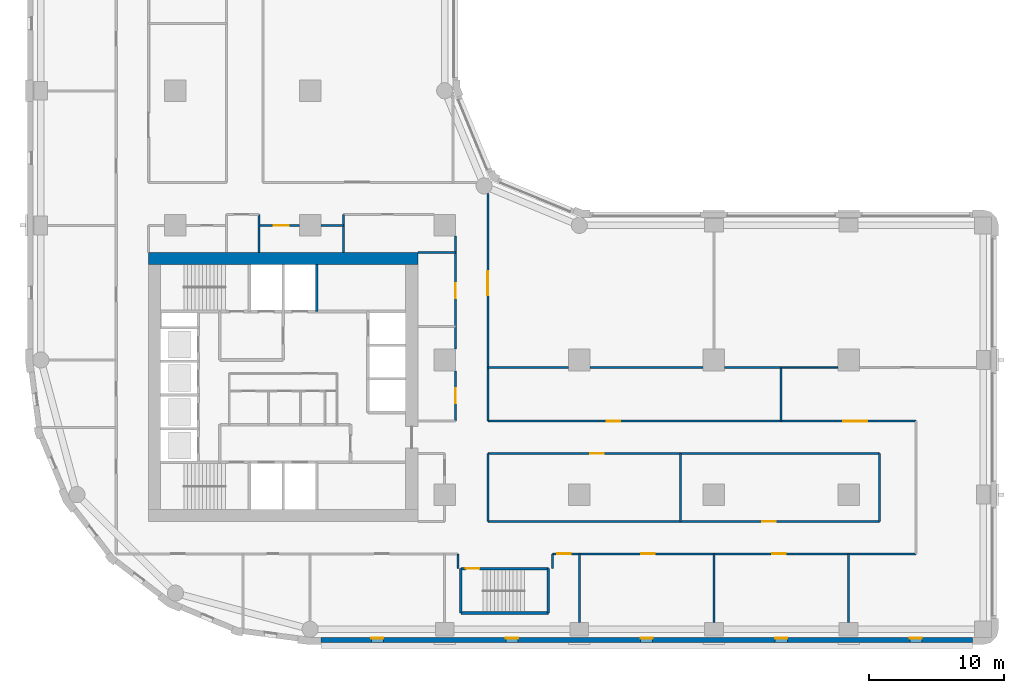
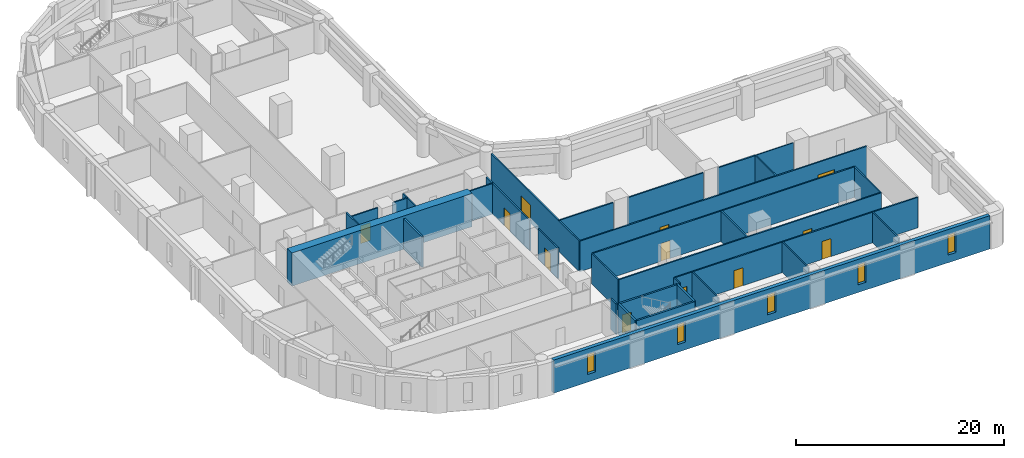
# One storey, part 4 of 11: 32 walls, 12 doors, 5 windows, 17 openings.
"""IFC4 building model written with IfcOpenShell, lengths in metres."""

from ifc_helpers import new_model, si_unit, direction, frame, frame_2d, origin, place, context, subcontext, project, spatial, rectangle, extrude, material, layer, layer_set, type_object, element, fill, save


model = new_model("IFC4")

# Units and contexts
model_context = context("Model", 3, precision=1e-05, world=origin(), true_north=direction((0.0, 1.0)))
body_context = subcontext(model_context, "Body", "Model", "MODEL_VIEW")
ifc_project = project(units=[si_unit("LENGTHUNIT", "METRE"), si_unit("AREAUNIT", "SQUARE_METRE"), si_unit("VOLUMEUNIT", "CUBIC_METRE"), si_unit("PLANEANGLEUNIT", "RADIAN"), si_unit("MASSUNIT", "GRAM", prefix="KILO")], contexts=[model_context])

# Site, building, storey
site_placement = place(None, origin())
site = spatial("IfcSite", under=ifc_project, at=site_placement, CompositionType="ELEMENT")
building_placement = place(site_placement, origin())
building = spatial("IfcBuilding", under=site, at=building_placement, Name="Qaws Garden Tower", CompositionType="ELEMENT")
storey_placement = place(building_placement, frame((0.0, 0.0, 31.5)))
storey = spatial("IfcBuildingStorey", under=building, at=storey_placement, Name="L07", CompositionType="ELEMENT", Elevation=31.5)

# Wall, openings, windows
ifc_material_1 = material(Name="Clay facing brick masonry", Category="masonry")
ifc_layer_1 = layer(ifc_material_1, 0.39990234375)
ifc_layer_set_1 = layer_set([ifc_layer_1], Name="Clay facing brick masonry")
wall_type_1 = type_object("IfcWallType", Name="Brick infill wall 400", PredefinedType="SOLIDWALL", material=ifc_layer_set_1)
wall_1_placement = place(storey_placement, frame((20.800048828125, -0.800048828125, 0.0), z_axis=(0.0, 0.0, 1.0), x_axis=(1.0, 0.0, 0.0)))
wall_1 = element("IfcWall", 1, at=wall_1_placement, inside=storey, type_object=wall_type_1, Name="E-L07-infill-00", PredefinedType="SOLIDWALL", context=body_context, shape_type="SweptSolid", body=[
    extrude(rectangle(XDim=48.39990234375, YDim=0.39990234375, at=frame_2d((24.199951171875, 0.0))), origin(), (0.0, 0.0, 1.0), 3.89990234375),
])
opening_1_placement = place(wall_1_placement, frame((3.75, 0.0, 0.89990234375)))
opening_1 = element("IfcOpeningElement", 2, at=opening_1_placement, cuts=wall_1, Name="Opening W09", PredefinedType="OPENING", context=body_context, shape_type="SweptSolid", body=[
    extrude(rectangle(XDim=0.89990234375, YDim=2.35009765625, at=frame_2d((0.449951171875, 1.175048828125))), frame((0.0, 0.2099609375, 0.0), z_axis=(0.0, -1.0, 0.0), x_axis=(1.0, 0.0, 0.0)), (0.0, 0.0, 1.0), 0.419921875),
])
opening_2_placement = place(wall_1_placement, frame((13.75, 0.0, 0.89990234375)))
opening_2 = element("IfcOpeningElement", 3, at=opening_2_placement, cuts=wall_1, Name="Opening W09", PredefinedType="OPENING", context=body_context, shape_type="SweptSolid", body=[
    extrude(rectangle(XDim=0.89990234375, YDim=2.35009765625, at=frame_2d((0.449951171875, 1.175048828125))), frame((0.0, 0.2099609375, 0.0), z_axis=(0.0, -1.0, 0.0), x_axis=(1.0, 0.0, 0.0)), (0.0, 0.0, 1.0), 0.419921875),
])
opening_3_placement = place(wall_1_placement, frame((23.75, 0.0, 0.89990234375)))
opening_3 = element("IfcOpeningElement", 4, at=opening_3_placement, cuts=wall_1, Name="Opening W09", PredefinedType="OPENING", context=body_context, shape_type="SweptSolid", body=[
    extrude(rectangle(XDim=0.89990234375, YDim=2.35009765625, at=frame_2d((0.449951171875, 1.175048828125))), frame((0.0, 0.2099609375, 0.0), z_axis=(0.0, -1.0, 0.0), x_axis=(1.0, 0.0, 0.0)), (0.0, 0.0, 1.0), 0.419921875),
])
opening_4_placement = place(wall_1_placement, frame((33.75, 0.0, 0.89990234375)))
opening_4 = element("IfcOpeningElement", 5, at=opening_4_placement, cuts=wall_1, Name="Opening W09", PredefinedType="OPENING", context=body_context, shape_type="SweptSolid", body=[
    extrude(rectangle(XDim=0.89990234375, YDim=2.35009765625, at=frame_2d((0.449951171875, 1.175048828125))), frame((0.0, 0.2099609375, 0.0), z_axis=(0.0, -1.0, 0.0), x_axis=(1.0, 0.0, 0.0)), (0.0, 0.0, 1.0), 0.419921875),
])
opening_5_placement = place(wall_1_placement, frame((43.75, 0.0, 0.89990234375)))
opening_5 = element("IfcOpeningElement", 6, at=opening_5_placement, cuts=wall_1, Name="Opening W09", PredefinedType="OPENING", context=body_context, shape_type="SweptSolid", body=[
    extrude(rectangle(XDim=0.89990234375, YDim=2.35009765625, at=frame_2d((0.449951171875, 1.175048828125))), frame((0.0, 0.2099609375, 0.0), z_axis=(0.0, -1.0, 0.0), x_axis=(1.0, 0.0, 0.0)), (0.0, 0.0, 1.0), 0.419921875),
])
ifc_material_2 = material(Name="Aluminium framed window, clear glazing", Category="aluminium")
window_type = type_object("IfcWindowType", Name="Slit window 900 x 2350", PartitioningType="SINGLE_PANEL", PredefinedType="WINDOW", material=ifc_material_2)
window_1_placement = place(opening_1_placement, origin())
window_1 = element("IfcWindow", 7, at=window_1_placement, inside=storey, type_object=window_type, Name="E-L07-window-00-0", OverallHeight=2.35009765625, OverallWidth=0.89990234375, PartitioningType="SINGLE_PANEL", PredefinedType="WINDOW", context=body_context, shape_type="SweptSolid", body=[
    extrude(rectangle(XDim=0.89990234375, YDim=2.35009765625, at=frame_2d((0.449951171875, 1.175048828125))), frame((0.0, 0.159912109375, 0.0), z_axis=(0.0, -1.0, 0.0), x_axis=(1.0, 0.0, 0.0)), (0.0, 0.0, 1.0), 0.06005859375),
])
fill(opening_1, window_1)
window_2_placement = place(opening_2_placement, origin())
window_2 = element("IfcWindow", 8, at=window_2_placement, inside=storey, type_object=window_type, Name="E-L07-window-01-0", OverallHeight=2.35009765625, OverallWidth=0.89990234375, PartitioningType="SINGLE_PANEL", PredefinedType="WINDOW", context=body_context, shape_type="SweptSolid", body=[
    extrude(rectangle(XDim=0.89990234375, YDim=2.35009765625, at=frame_2d((0.449951171875, 1.175048828125))), frame((0.0, 0.159912109375, 0.0), z_axis=(0.0, -1.0, 0.0), x_axis=(1.0, 0.0, 0.0)), (0.0, 0.0, 1.0), 0.06005859375),
])
fill(opening_2, window_2)
window_3_placement = place(opening_3_placement, origin())
window_3 = element("IfcWindow", 9, at=window_3_placement, inside=storey, type_object=window_type, Name="E-L07-window-02-0", OverallHeight=2.35009765625, OverallWidth=0.89990234375, PartitioningType="SINGLE_PANEL", PredefinedType="WINDOW", context=body_context, shape_type="SweptSolid", body=[
    extrude(rectangle(XDim=0.89990234375, YDim=2.35009765625, at=frame_2d((0.449951171875, 1.175048828125))), frame((0.0, 0.159912109375, 0.0), z_axis=(0.0, -1.0, 0.0), x_axis=(1.0, 0.0, 0.0)), (0.0, 0.0, 1.0), 0.06005859375),
])
fill(opening_3, window_3)
window_4_placement = place(opening_4_placement, origin())
window_4 = element("IfcWindow", 10, at=window_4_placement, inside=storey, type_object=window_type, Name="E-L07-window-03-0", OverallHeight=2.35009765625, OverallWidth=0.89990234375, PartitioningType="SINGLE_PANEL", PredefinedType="WINDOW", context=body_context, shape_type="SweptSolid", body=[
    extrude(rectangle(XDim=0.89990234375, YDim=2.35009765625, at=frame_2d((0.449951171875, 1.175048828125))), frame((0.0, 0.159912109375, 0.0), z_axis=(0.0, -1.0, 0.0), x_axis=(1.0, 0.0, 0.0)), (0.0, 0.0, 1.0), 0.06005859375),
])
fill(opening_4, window_4)
window_5_placement = place(opening_5_placement, origin())
window_5 = element("IfcWindow", 11, at=window_5_placement, inside=storey, type_object=window_type, Name="E-L07-window-04-0", OverallHeight=2.35009765625, OverallWidth=0.89990234375, PartitioningType="SINGLE_PANEL", PredefinedType="WINDOW", context=body_context, shape_type="SweptSolid", body=[
    extrude(rectangle(XDim=0.89990234375, YDim=2.35009765625, at=frame_2d((0.449951171875, 1.175048828125))), frame((0.0, 0.159912109375, 0.0), z_axis=(0.0, -1.0, 0.0), x_axis=(1.0, 0.0, 0.0)), (0.0, 0.0, 1.0), 0.06005859375),
])
fill(opening_5, window_5)

# Wall
ifc_material_3 = material(Name="Concrete C80", Category="concrete")
ifc_layer_2 = layer(ifc_material_3, 0.199951171875)
ifc_layer_set_2 = layer_set([ifc_layer_2], Name="Concrete C80")
wall_type_2 = type_object("IfcWallType", Name="Core shaft wall 200 C80", PredefinedType="SHEAR", material=ifc_layer_set_2)
wall_2_placement = place(storey_placement, frame((31.199951171875, 1.199951171875, 0.0), z_axis=(0.0, 0.0, 1.0), x_axis=(1.0, 0.0, 0.0)))
element("IfcWall", 12, at=wall_2_placement, inside=storey, type_object=wall_type_2, Name="Shaft wall", PredefinedType="SHEAR", context=body_context, shape_type="SweptSolid", body=[
    extrude(rectangle(XDim=6.5, YDim=0.199951171875, at=frame_2d((3.25, 0.0))), origin(), (0.0, 0.0, 1.0), 3.580078125),
])

# Wall, opening, door
wall_3_placement = place(storey_placement, frame((31.199951171875, 4.5, 0.0), z_axis=(0.0, 0.0, 1.0), x_axis=(1.0, 0.0, 0.0)))
wall_3 = element("IfcWall", 13, at=wall_3_placement, inside=storey, type_object=wall_type_2, Name="Shaft wall", PredefinedType="SHEAR", context=body_context, shape_type="SweptSolid", body=[
    extrude(rectangle(XDim=6.5, YDim=0.199951171875, at=frame_2d((3.25, 0.0))), origin(), (0.0, 0.0, 1.0), 3.580078125),
])
opening_6_placement = place(wall_3_placement, frame((0.375, 0.0, 0.0)))
opening_6 = element("IfcOpeningElement", 14, at=opening_6_placement, cuts=wall_3, Name="Opening SD12", PredefinedType="OPENING", context=body_context, shape_type="SweptSolid", body=[
    extrude(rectangle(XDim=1.0, YDim=2.10009765625, at=frame_2d((0.5, 1.050048828125))), frame((0.0, 0.10986328125, 0.0), z_axis=(0.0, -1.0, 0.0), x_axis=(1.0, 0.0, 0.0)), (0.0, 0.0, 1.0), 0.219970703125),
])
ifc_material_4 = material(Name="Steel S235", Category="steel")
door_type_1 = type_object("IfcDoorType", Name="Stair door 1000x2100", OperationType="SINGLE_SWING_RIGHT", PredefinedType="DOOR", material=ifc_material_4)
door_1_placement = place(opening_6_placement, frame((1.0, 0.0, 0.0), z_axis=(0.0, 0.0, 1.0), x_axis=(-1.0, 0.0, 0.0)))
door_1 = element("IfcDoor", 15, at=door_1_placement, inside=storey, type_object=door_type_1, Name="Stair 5 door", OperationType="SINGLE_SWING_RIGHT", OverallHeight=2.10009765625, OverallWidth=1.0, PredefinedType="DOOR", context=body_context, shape_type="SweptSolid", body=[
    extrude(rectangle(XDim=1.0, YDim=2.10009765625, at=frame_2d((0.5, 1.050048828125))), frame((0.0, 0.02490234375, 0.0), z_axis=(0.0, -1.0, 0.0), x_axis=(1.0, 0.0, 0.0)), (0.0, 0.0, 1.0), 0.050048828125),
])
fill(opening_6, door_1)

# Walls
wall_4_placement = place(storey_placement, frame((20.5, 23.60009765625, 0.0), z_axis=(0.0, 0.0, 1.0), x_axis=(0.0, 1.0, 0.0)))
element("IfcWall", 16, at=wall_4_placement, inside=storey, type_object=wall_type_2, Name="Shaft wall", PredefinedType="SHEAR", context=body_context, shape_type="SweptSolid", body=[
    extrude(rectangle(XDim=3.5, YDim=0.199951171875, at=frame_2d((1.75, 0.0))), origin(), (0.0, 0.0, 1.0), 3.580078125),
])
for number, where, z_axis, x_axis, name in (
    (17, (31.199951171875, 1.199951171875, 0.0), (0.0, 0.0, 1.0), (0.0, 1.0, 0.0), "Shaft wall"),
    (18, (37.699951171875, 1.199951171875, 0.0), (0.0, 0.0, 1.0), (0.0, 1.0, 0.0), "Shaft wall"),
):
    element("IfcWall", number, at=place(storey_placement, frame(where, z_axis=z_axis, x_axis=x_axis)), inside=storey, type_object=wall_type_2, Name=name, PredefinedType="SHEAR", context=body_context, shape_type="SweptSolid", body=[
        extrude(rectangle(XDim=3.300048828125, YDim=0.199951171875, at=frame_2d((1.64990234375, 0.0))), origin(), (0.0, 0.0, 1.0), 3.580078125),
    ])
ifc_material_5 = material(Name="Concrete C80", Category="concrete")
ifc_layer_3 = layer(ifc_material_5, 0.89990234375)
ifc_layer_set_3 = layer_set([ifc_layer_3], Name="Concrete C80")
wall_type_3 = type_object("IfcWallType", Name="Core wall 900 C80", PredefinedType="SHEAR", material=ifc_layer_set_3)
wall_5_placement = place(storey_placement, frame((28.0, 27.550048828125, 0.0), z_axis=(0.0, 0.0, 1.0), x_axis=(-1.0, 0.0, 0.0)))
element("IfcWall", 19, at=wall_5_placement, inside=storey, type_object=wall_type_3, Name="Core wall L07 north", PredefinedType="SHEAR", context=body_context, shape_type="SweptSolid", body=[
    extrude(rectangle(XDim=20.0, YDim=0.89990234375, at=frame_2d((10.0, 0.0))), origin(), (0.0, 0.0, 1.0), 3.89990234375),
])
ifc_material_6 = material(Name="Gypsum board partition")
ifc_layer_4 = layer(ifc_material_6, 0.10009765625)
ifc_layer_set_4 = layer_set([ifc_layer_4], Name="Gypsum board partition")
wall_type_4 = type_object("IfcWallType", Name="PARTITION 100", PredefinedType="PARTITIONING", material=ifc_layer_set_4)
wall_6_placement = place(storey_placement, frame((55.0, 19.449951171875, 0.0), z_axis=(0.0, 0.0, 1.0), x_axis=(1.0, 0.0, 0.0)))
element("IfcWall", 20, at=wall_6_placement, inside=storey, type_object=wall_type_4, Name="O-L07-wall-002", PredefinedType="PARTITIONING", context=body_context, shape_type="SweptSolid", body=[
    extrude(rectangle(XDim=4.199951171875, YDim=0.10009765625, at=frame_2d((2.10009765625, 0.0))), origin(), (0.0, 0.0, 1.0), 3.580078125),
])
ifc_material_7 = material(Name="Gypsum board partition")
ifc_layer_5 = layer(ifc_material_7, 0.14990234375)
ifc_layer_set_5 = layer_set([ifc_layer_5], Name="Gypsum board partition")
wall_type_5 = type_object("IfcWallType", Name="PARTITION 150 EI 60", PredefinedType="PARTITIONING", material=ifc_layer_set_5)
for number, where, z_axis, x_axis, name in (
    (21, (16.199951171875, 28.0, 0.0), (0.0, 0.0, 1.0), (0.0, 1.0, 0.0), "O-L07-wall-012"),
    (22, (22.5, 28.0, 0.0), (0.0, 0.0, 1.0), (0.0, 1.0, 0.0), "O-L07-wall-016"),
):
    element("IfcWall", number, at=place(storey_placement, frame(where, z_axis=z_axis, x_axis=x_axis)), inside=storey, type_object=wall_type_5, Name=name, PredefinedType="PARTITIONING", context=body_context, shape_type="SweptSolid", body=[
        extrude(rectangle(XDim=2.800048828125, YDim=0.14990234375, at=frame_2d((1.39990234375, 0.0))), origin(), (0.0, 0.0, 1.0), 3.580078125),
    ])

# Wall, opening, door
wall_7_placement = place(storey_placement, frame((30.800048828125, 15.449951171875, 0.0), z_axis=(0.0, 0.0, 1.0), x_axis=(0.0, 1.0, 0.0)))
wall_7 = element("IfcWall", 23, at=wall_7_placement, inside=storey, type_object=wall_type_5, Name="O-L07-wall-022", PredefinedType="PARTITIONING", context=body_context, shape_type="SweptSolid", body=[
    extrude(rectangle(XDim=3.75, YDim=0.14990234375, at=frame_2d((1.875, 0.0))), origin(), (0.0, 0.0, 1.0), 3.580078125),
])
opening_7_placement = place(wall_7_placement, frame((1.35009765625, 0.0, 0.0)))
opening_7 = element("IfcOpeningElement", 24, at=opening_7_placement, cuts=wall_7, Name="Opening A211", PredefinedType="OPENING", context=body_context, shape_type="SweptSolid", body=[
    extrude(rectangle(XDim=1.10009765625, YDim=2.10009765625, at=frame_2d((0.550048828125, 1.050048828125))), frame((0.0, 0.0849609375, 0.0), z_axis=(0.0, -1.0, 0.0), x_axis=(1.0, 0.0, 0.0)), (0.0, 0.0, 1.0), 0.169921875),
])
ifc_material_8 = material(Name="Timber door leaf", Category="wood")
door_type_2 = type_object("IfcDoorType", Name="SERVICE ROOM DOOR 1100 X 2100", OperationType="SINGLE_SWING_LEFT", PredefinedType="DOOR", material=ifc_material_8)
door_2_placement = place(opening_7_placement, origin())
door_2 = element("IfcDoor", 25, at=door_2_placement, inside=storey, type_object=door_type_2, Name="O-L07-door-011", OperationType="SINGLE_SWING_RIGHT", OverallHeight=2.10009765625, OverallWidth=1.10009765625, PredefinedType="DOOR", context=body_context, shape_type="SweptSolid", body=[
    extrude(rectangle(XDim=1.10009765625, YDim=2.10009765625, at=frame_2d((0.550048828125, 1.050048828125))), frame((0.0, 0.02490234375, 0.0), z_axis=(0.0, -1.0, 0.0), x_axis=(1.0, 0.0, 0.0)), (0.0, 0.0, 1.0), 0.050048828125),
])
fill(opening_7, door_2)

wall_8_placement = place(storey_placement, frame((30.800048828125, 20.800048828125, 0.0), z_axis=(0.0, 0.0, 1.0), x_axis=(0.0, 1.0, 0.0)))
wall_8 = element("IfcWall", 26, at=wall_8_placement, inside=storey, type_object=wall_type_5, Name="O-L07-wall-023", PredefinedType="PARTITIONING", context=body_context, shape_type="SweptSolid", body=[
    extrude(rectangle(XDim=8.39990234375, YDim=0.14990234375, at=frame_2d((4.199951171875, 0.0))), origin(), (0.0, 0.0, 1.0), 3.580078125),
])
opening_8_placement = place(wall_8_placement, frame((3.800048828125, 0.0, 0.0)))
opening_8 = element("IfcOpeningElement", 27, at=opening_8_placement, cuts=wall_8, Name="Opening A213", PredefinedType="OPENING", context=body_context, shape_type="SweptSolid", body=[
    extrude(rectangle(XDim=1.10009765625, YDim=2.10009765625, at=frame_2d((0.550048828125, 1.050048828125))), frame((0.0, 0.0849609375, 0.0), z_axis=(0.0, -1.0, 0.0), x_axis=(1.0, 0.0, 0.0)), (0.0, 0.0, 1.0), 0.169921875),
])
door_3_placement = place(opening_8_placement, origin())
door_3 = element("IfcDoor", 28, at=door_3_placement, inside=storey, type_object=door_type_2, Name="O-L07-door-013", OperationType="SINGLE_SWING_RIGHT", OverallHeight=2.10009765625, OverallWidth=1.10009765625, PredefinedType="DOOR", context=body_context, shape_type="SweptSolid", body=[
    extrude(rectangle(XDim=1.10009765625, YDim=2.10009765625, at=frame_2d((0.550048828125, 1.050048828125))), frame((0.0, 0.02490234375, 0.0), z_axis=(0.0, -1.0, 0.0), x_axis=(1.0, 0.0, 0.0)), (0.0, 0.0, 1.0), 0.050048828125),
])
fill(opening_8, door_3)

# Walls
wall_9_placement = place(storey_placement, frame((31.0, 4.5, 0.0), z_axis=(0.0, 0.0, 1.0), x_axis=(0.0, 1.0, 0.0)))
element("IfcWall", 29, at=wall_9_placement, inside=storey, type_object=wall_type_5, Name="O-L07-wall-024", PredefinedType="PARTITIONING", context=body_context, shape_type="SweptSolid", body=[
    extrude(rectangle(XDim=1.10009765625, YDim=0.14990234375, at=frame_2d((0.550048828125, 0.0))), origin(), (0.0, 0.0, 1.0), 3.580078125),
])
wall_10_placement = place(storey_placement, frame((33.199951171875, 8.0, 0.0), z_axis=(0.0, 0.0, 1.0), x_axis=(0.0, 1.0, 0.0)))
element("IfcWall", 30, at=wall_10_placement, inside=storey, type_object=wall_type_5, Name="O-L07-wall-025", PredefinedType="PARTITIONING", context=body_context, shape_type="SweptSolid", body=[
    extrude(rectangle(XDim=5.050048828125, YDim=0.14990234375, at=frame_2d((2.52490234375, 0.0))), origin(), (0.0, 0.0, 1.0), 3.580078125),
])

# Wall, opening, door
wall_11_placement = place(storey_placement, frame((33.199951171875, 15.449951171875, 0.0), z_axis=(0.0, 0.0, 1.0), x_axis=(0.0, 1.0, 0.0)))
wall_11 = element("IfcWall", 31, at=wall_11_placement, inside=storey, type_object=wall_type_5, Name="O-L07-wall-026", PredefinedType="PARTITIONING", context=body_context, shape_type="SweptSolid", body=[
    extrude(rectangle(XDim=16.912109375, YDim=0.14990234375, at=frame_2d((8.4560546875, 0.0))), origin(), (0.0, 0.0, 1.0), 3.580078125),
])
opening_9_placement = place(wall_11_placement, frame((9.35009765625, 0.0, 0.0)))
opening_9 = element("IfcOpeningElement", 32, at=opening_9_placement, cuts=wall_11, Name="Opening A209", PredefinedType="OPENING", context=body_context, shape_type="SweptSolid", body=[
    extrude(rectangle(XDim=1.800048828125, YDim=2.10009765625, at=frame_2d((0.89990234375, 1.050048828125))), frame((0.0, 0.0849609375, 0.0), z_axis=(0.0, -1.0, 0.0), x_axis=(1.0, 0.0, 0.0)), (0.0, 0.0, 1.0), 0.169921875),
])
ifc_material_9 = material(Name="Timber door leaf", Category="wood")
door_type_3 = type_object("IfcDoorType", Name="DOUBLE DOOR 1800 X 2100", OperationType="DOUBLE_DOOR_SINGLE_SWING", PredefinedType="DOOR", material=ifc_material_9)
door_4_placement = place(opening_9_placement, frame((1.800048828125, 0.0, 0.0), z_axis=(0.0, 0.0, 1.0), x_axis=(-1.0, 0.0, 0.0)))
door_4 = element("IfcDoor", 33, at=door_4_placement, inside=storey, type_object=door_type_3, Name="O-L07-door-009", OperationType="DOUBLE_DOOR_SINGLE_SWING", OverallHeight=2.10009765625, OverallWidth=1.800048828125, PredefinedType="DOOR", context=body_context, shape_type="SweptSolid", body=[
    extrude(rectangle(XDim=1.800048828125, YDim=2.10009765625, at=frame_2d((0.89990234375, 1.050048828125))), frame((0.0, 0.02490234375, 0.0), z_axis=(0.0, -1.0, 0.0), x_axis=(1.0, 0.0, 0.0)), (0.0, 0.0, 1.0), 0.050048828125),
])
fill(opening_9, door_4)

# Walls
wall_12_placement = place(storey_placement, frame((38.0, 4.5, 0.0), z_axis=(0.0, 0.0, 1.0), x_axis=(0.0, 1.0, 0.0)))
element("IfcWall", 34, at=wall_12_placement, inside=storey, type_object=wall_type_5, Name="O-L07-wall-027", PredefinedType="PARTITIONING", context=body_context, shape_type="SweptSolid", body=[
    extrude(rectangle(XDim=1.10009765625, YDim=0.14990234375, at=frame_2d((0.550048828125, 0.0))), origin(), (0.0, 0.0, 1.0), 3.580078125),
])
wall_13_placement = place(storey_placement, frame((40.0, 0.5, 0.0), z_axis=(0.0, 0.0, 1.0), x_axis=(0.0, 1.0, 0.0)))
element("IfcWall", 35, at=wall_13_placement, inside=storey, type_object=wall_type_5, Name="O-L07-wall-028", PredefinedType="PARTITIONING", context=body_context, shape_type="SweptSolid", body=[
    extrude(rectangle(XDim=5.10009765625, YDim=0.14990234375, at=frame_2d((2.550048828125, 0.0))), origin(), (0.0, 0.0, 1.0), 3.580078125),
])
wall_14_placement = place(storey_placement, frame((47.5, 8.0, 0.0), z_axis=(0.0, 0.0, 1.0), x_axis=(0.0, 1.0, 0.0)))
element("IfcWall", 36, at=wall_14_placement, inside=storey, type_object=wall_type_5, Name="O-L07-wall-029", PredefinedType="PARTITIONING", context=body_context, shape_type="SweptSolid", body=[
    extrude(rectangle(XDim=5.050048828125, YDim=0.14990234375, at=frame_2d((2.52490234375, 0.0))), origin(), (0.0, 0.0, 1.0), 3.580078125),
])
wall_15_placement = place(storey_placement, frame((50.0, 0.5, 0.0), z_axis=(0.0, 0.0, 1.0), x_axis=(0.0, 1.0, 0.0)))
element("IfcWall", 37, at=wall_15_placement, inside=storey, type_object=wall_type_5, Name="O-L07-wall-030", PredefinedType="PARTITIONING", context=body_context, shape_type="SweptSolid", body=[
    extrude(rectangle(XDim=5.10009765625, YDim=0.14990234375, at=frame_2d((2.550048828125, 0.0))), origin(), (0.0, 0.0, 1.0), 3.580078125),
])
wall_16_placement = place(storey_placement, frame((55.0, 15.449951171875, 0.0), z_axis=(0.0, 0.0, 1.0), x_axis=(0.0, 1.0, 0.0)))
element("IfcWall", 38, at=wall_16_placement, inside=storey, type_object=wall_type_5, Name="O-L07-wall-032", PredefinedType="PARTITIONING", context=body_context, shape_type="SweptSolid", body=[
    extrude(rectangle(XDim=4.0, YDim=0.14990234375, at=frame_2d((2.0, 0.0))), origin(), (0.0, 0.0, 1.0), 3.580078125),
])
wall_17_placement = place(storey_placement, frame((60.0, 0.5, 0.0), z_axis=(0.0, 0.0, 1.0), x_axis=(0.0, 1.0, 0.0)))
element("IfcWall", 39, at=wall_17_placement, inside=storey, type_object=wall_type_5, Name="O-L07-wall-033", PredefinedType="PARTITIONING", context=body_context, shape_type="SweptSolid", body=[
    extrude(rectangle(XDim=5.10009765625, YDim=0.14990234375, at=frame_2d((2.550048828125, 0.0))), origin(), (0.0, 0.0, 1.0), 3.580078125),
])
wall_18_placement = place(storey_placement, frame((62.300048828125, 8.0, 0.0), z_axis=(0.0, 0.0, 1.0), x_axis=(0.0, 1.0, 0.0)))
element("IfcWall", 40, at=wall_18_placement, inside=storey, type_object=wall_type_5, Name="O-L07-wall-034", PredefinedType="PARTITIONING", context=body_context, shape_type="SweptSolid", body=[
    extrude(rectangle(XDim=5.050048828125, YDim=0.14990234375, at=frame_2d((2.52490234375, 0.0))), origin(), (0.0, 0.0, 1.0), 3.580078125),
])

# Wall, openings, doors
wall_19_placement = place(storey_placement, frame((38.0, 5.60009765625, 0.0), z_axis=(0.0, 0.0, 1.0), x_axis=(1.0, 0.0, 0.0)))
wall_19 = element("IfcWall", 41, at=wall_19_placement, inside=storey, type_object=wall_type_5, Name="O-L07-wall-037", PredefinedType="PARTITIONING", context=body_context, shape_type="SweptSolid", body=[
    extrude(rectangle(XDim=27.0, YDim=0.14990234375, at=frame_2d((13.5, 0.0))), origin(), (0.0, 0.0, 1.0), 3.580078125),
])
opening_10_placement = place(wall_19_placement, frame((6.60009765625, 0.0, 0.0)))
opening_10 = element("IfcOpeningElement", 42, at=opening_10_placement, cuts=wall_19, Name="Opening A203", PredefinedType="OPENING", context=body_context, shape_type="SweptSolid", body=[
    extrude(rectangle(XDim=1.0, YDim=2.10009765625, at=frame_2d((0.5, 1.050048828125))), frame((0.0, 0.0849609375, 0.0), z_axis=(0.0, -1.0, 0.0), x_axis=(1.0, 0.0, 0.0)), (0.0, 0.0, 1.0), 0.169921875),
])
opening_11_placement = place(wall_19_placement, frame((16.35009765625, 0.0, 0.0)))
opening_11 = element("IfcOpeningElement", 43, at=opening_11_placement, cuts=wall_19, Name="Opening A204", PredefinedType="OPENING", context=body_context, shape_type="SweptSolid", body=[
    extrude(rectangle(XDim=1.0, YDim=2.10009765625, at=frame_2d((0.5, 1.050048828125))), frame((0.0, 0.0849609375, 0.0), z_axis=(0.0, -1.0, 0.0), x_axis=(1.0, 0.0, 0.0)), (0.0, 0.0, 1.0), 0.169921875),
])
opening_12_placement = place(wall_19_placement, frame((0.35009765625, 0.0, 0.0)))
opening_12 = element("IfcOpeningElement", 44, at=opening_12_placement, cuts=wall_19, Name="Opening A229", PredefinedType="OPENING", context=body_context, shape_type="SweptSolid", body=[
    extrude(rectangle(XDim=1.0, YDim=2.10009765625, at=frame_2d((0.5, 1.050048828125))), frame((0.0, 0.0849609375, 0.0), z_axis=(0.0, -1.0, 0.0), x_axis=(1.0, 0.0, 0.0)), (0.0, 0.0, 1.0), 0.169921875),
])
ifc_material_10 = material(Name="Timber door leaf", Category="wood")
door_type_4 = type_object("IfcDoorType", Name="TENANCY ENTRANCE DOOR 1000 X 2100", OperationType="SINGLE_SWING_LEFT", PredefinedType="DOOR", material=ifc_material_10)
door_5_placement = place(opening_10_placement, frame((1.0, 0.0, 0.0), z_axis=(0.0, 0.0, 1.0), x_axis=(-1.0, 0.0, 0.0)))
door_5 = element("IfcDoor", 45, at=door_5_placement, inside=storey, type_object=door_type_4, Name="O-L07-door-003", OperationType="SINGLE_SWING_RIGHT", OverallHeight=2.10009765625, OverallWidth=1.0, PredefinedType="DOOR", context=body_context, shape_type="SweptSolid", body=[
    extrude(rectangle(XDim=1.0, YDim=2.10009765625, at=frame_2d((0.5, 1.050048828125))), frame((0.0, 0.02490234375, 0.0), z_axis=(0.0, -1.0, 0.0), x_axis=(1.0, 0.0, 0.0)), (0.0, 0.0, 1.0), 0.050048828125),
])
fill(opening_10, door_5)
door_6_placement = place(opening_11_placement, frame((1.0, 0.0, 0.0), z_axis=(0.0, 0.0, 1.0), x_axis=(-1.0, 0.0, 0.0)))
door_6 = element("IfcDoor", 46, at=door_6_placement, inside=storey, type_object=door_type_4, Name="O-L07-door-004", OperationType="SINGLE_SWING_RIGHT", OverallHeight=2.10009765625, OverallWidth=1.0, PredefinedType="DOOR", context=body_context, shape_type="SweptSolid", body=[
    extrude(rectangle(XDim=1.0, YDim=2.10009765625, at=frame_2d((0.5, 1.050048828125))), frame((0.0, 0.02490234375, 0.0), z_axis=(0.0, -1.0, 0.0), x_axis=(1.0, 0.0, 0.0)), (0.0, 0.0, 1.0), 0.050048828125),
])
fill(opening_11, door_6)
door_7_placement = place(opening_12_placement, frame((1.0, 0.0, 0.0), z_axis=(0.0, 0.0, 1.0), x_axis=(-1.0, 0.0, 0.0)))
door_7 = element("IfcDoor", 47, at=door_7_placement, inside=storey, type_object=door_type_4, Name="O-L07-door-029", OperationType="SINGLE_SWING_RIGHT", OverallHeight=2.10009765625, OverallWidth=1.0, PredefinedType="DOOR", context=body_context, shape_type="SweptSolid", body=[
    extrude(rectangle(XDim=1.0, YDim=2.10009765625, at=frame_2d((0.5, 1.050048828125))), frame((0.0, 0.02490234375, 0.0), z_axis=(0.0, -1.0, 0.0), x_axis=(1.0, 0.0, 0.0)), (0.0, 0.0, 1.0), 0.050048828125),
])
fill(opening_12, door_7)

# Wall, opening, door
wall_20_placement = place(storey_placement, frame((33.199951171875, 8.0, 0.0), z_axis=(0.0, 0.0, 1.0), x_axis=(1.0, 0.0, 0.0)))
wall_20 = element("IfcWall", 48, at=wall_20_placement, inside=storey, type_object=wall_type_5, Name="O-L07-wall-039", PredefinedType="PARTITIONING", context=body_context, shape_type="SweptSolid", body=[
    extrude(rectangle(XDim=29.10009765625, YDim=0.14990234375, at=frame_2d((14.550048828125, 0.0))), origin(), (0.0, 0.0, 1.0), 3.580078125),
])
opening_13_placement = place(wall_20_placement, frame((20.39990234375, 0.0, 0.0)))
opening_13 = element("IfcOpeningElement", 49, at=opening_13_placement, cuts=wall_20, Name="Opening A207", PredefinedType="OPENING", context=body_context, shape_type="SweptSolid", body=[
    extrude(rectangle(XDim=1.0, YDim=2.10009765625, at=frame_2d((0.5, 1.050048828125))), frame((0.0, 0.0849609375, 0.0), z_axis=(0.0, -1.0, 0.0), x_axis=(1.0, 0.0, 0.0)), (0.0, 0.0, 1.0), 0.169921875),
])
door_8_placement = place(opening_13_placement, origin())
door_8 = element("IfcDoor", 50, at=door_8_placement, inside=storey, type_object=door_type_4, Name="O-L07-door-007", OperationType="SINGLE_SWING_LEFT", OverallHeight=2.10009765625, OverallWidth=1.0, PredefinedType="DOOR", context=body_context, shape_type="SweptSolid", body=[
    extrude(rectangle(XDim=1.0, YDim=2.10009765625, at=frame_2d((0.5, 1.050048828125))), frame((0.0, 0.02490234375, 0.0), z_axis=(0.0, -1.0, 0.0), x_axis=(1.0, 0.0, 0.0)), (0.0, 0.0, 1.0), 0.050048828125),
])
fill(opening_13, door_8)

wall_21_placement = place(storey_placement, frame((33.199951171875, 13.050048828125, 0.0), z_axis=(0.0, 0.0, 1.0), x_axis=(1.0, 0.0, 0.0)))
wall_21 = element("IfcWall", 51, at=wall_21_placement, inside=storey, type_object=wall_type_5, Name="O-L07-wall-041", PredefinedType="PARTITIONING", context=body_context, shape_type="SweptSolid", body=[
    extrude(rectangle(XDim=29.10009765625, YDim=0.14990234375, at=frame_2d((14.550048828125, 0.0))), origin(), (0.0, 0.0, 1.0), 3.580078125),
])
opening_14_placement = place(wall_21_placement, frame((7.60009765625, 0.0, 0.0)))
opening_14 = element("IfcOpeningElement", 52, at=opening_14_placement, cuts=wall_21, Name="Opening A206", PredefinedType="OPENING", context=body_context, shape_type="SweptSolid", body=[
    extrude(rectangle(XDim=1.0, YDim=2.10009765625, at=frame_2d((0.5, 1.050048828125))), frame((0.0, 0.0849609375, 0.0), z_axis=(0.0, -1.0, 0.0), x_axis=(1.0, 0.0, 0.0)), (0.0, 0.0, 1.0), 0.169921875),
])
door_9_placement = place(opening_14_placement, frame((1.0, 0.0, 0.0), z_axis=(0.0, 0.0, 1.0), x_axis=(-1.0, 0.0, 0.0)))
door_9 = element("IfcDoor", 53, at=door_9_placement, inside=storey, type_object=door_type_4, Name="O-L07-door-006", OperationType="SINGLE_SWING_RIGHT", OverallHeight=2.10009765625, OverallWidth=1.0, PredefinedType="DOOR", context=body_context, shape_type="SweptSolid", body=[
    extrude(rectangle(XDim=1.0, YDim=2.10009765625, at=frame_2d((0.5, 1.050048828125))), frame((0.0, 0.02490234375, 0.0), z_axis=(0.0, -1.0, 0.0), x_axis=(1.0, 0.0, 0.0)), (0.0, 0.0, 1.0), 0.050048828125),
])
fill(opening_14, door_9)

# Wall, openings, doors
wall_22_placement = place(storey_placement, frame((33.199951171875, 15.449951171875, 0.0), z_axis=(0.0, 0.0, 1.0), x_axis=(1.0, 0.0, 0.0)))
wall_22 = element("IfcWall", 54, at=wall_22_placement, inside=storey, type_object=wall_type_5, Name="O-L07-wall-044", PredefinedType="PARTITIONING", context=body_context, shape_type="SweptSolid", body=[
    extrude(rectangle(XDim=31.800048828125, YDim=0.14990234375, at=frame_2d((15.89990234375, 0.0))), origin(), (0.0, 0.0, 1.0), 3.580078125),
])
opening_15_placement = place(wall_22_placement, frame((26.39990234375, 0.0, 0.0)))
opening_15 = element("IfcOpeningElement", 55, at=opening_15_placement, cuts=wall_22, Name="Opening A205", PredefinedType="OPENING", context=body_context, shape_type="SweptSolid", body=[
    extrude(rectangle(XDim=1.800048828125, YDim=2.10009765625, at=frame_2d((0.89990234375, 1.050048828125))), frame((0.0, 0.0849609375, 0.0), z_axis=(0.0, -1.0, 0.0), x_axis=(1.0, 0.0, 0.0)), (0.0, 0.0, 1.0), 0.169921875),
])
opening_16_placement = place(wall_22_placement, frame((8.85009765625, 0.0, 0.0)))
opening_16 = element("IfcOpeningElement", 56, at=opening_16_placement, cuts=wall_22, Name="Opening A208", PredefinedType="OPENING", context=body_context, shape_type="SweptSolid", body=[
    extrude(rectangle(XDim=1.0, YDim=2.10009765625, at=frame_2d((0.5, 1.050048828125))), frame((0.0, 0.0849609375, 0.0), z_axis=(0.0, -1.0, 0.0), x_axis=(1.0, 0.0, 0.0)), (0.0, 0.0, 1.0), 0.169921875),
])
door_10_placement = place(opening_15_placement, origin())
door_10 = element("IfcDoor", 57, at=door_10_placement, inside=storey, type_object=door_type_3, Name="O-L07-door-005", OperationType="DOUBLE_DOOR_SINGLE_SWING", OverallHeight=2.10009765625, OverallWidth=1.800048828125, PredefinedType="DOOR", context=body_context, shape_type="SweptSolid", body=[
    extrude(rectangle(XDim=1.800048828125, YDim=2.10009765625, at=frame_2d((0.89990234375, 1.050048828125))), frame((0.0, 0.02490234375, 0.0), z_axis=(0.0, -1.0, 0.0), x_axis=(1.0, 0.0, 0.0)), (0.0, 0.0, 1.0), 0.050048828125),
])
fill(opening_15, door_10)
door_11_placement = place(opening_16_placement, origin())
door_11 = element("IfcDoor", 58, at=door_11_placement, inside=storey, type_object=door_type_4, Name="O-L07-door-008", OperationType="SINGLE_SWING_LEFT", OverallHeight=2.10009765625, OverallWidth=1.0, PredefinedType="DOOR", context=body_context, shape_type="SweptSolid", body=[
    extrude(rectangle(XDim=1.0, YDim=2.10009765625, at=frame_2d((0.5, 1.050048828125))), frame((0.0, 0.02490234375, 0.0), z_axis=(0.0, -1.0, 0.0), x_axis=(1.0, 0.0, 0.0)), (0.0, 0.0, 1.0), 0.050048828125),
])
fill(opening_16, door_11)

# Walls
wall_23_placement = place(storey_placement, frame((33.199951171875, 19.449951171875, 0.0), z_axis=(0.0, 0.0, 1.0), x_axis=(1.0, 0.0, 0.0)))
element("IfcWall", 59, at=wall_23_placement, inside=storey, type_object=wall_type_5, Name="O-L07-wall-045", PredefinedType="PARTITIONING", context=body_context, shape_type="SweptSolid", body=[
    extrude(rectangle(XDim=6.0, YDim=0.14990234375, at=frame_2d((3.0, 0.0))), origin(), (0.0, 0.0, 1.0), 3.580078125),
])
wall_24_placement = place(storey_placement, frame((40.800048828125, 19.449951171875, 0.0), z_axis=(0.0, 0.0, 1.0), x_axis=(1.0, 0.0, 0.0)))
element("IfcWall", 60, at=wall_24_placement, inside=storey, type_object=wall_type_5, Name="O-L07-wall-046", PredefinedType="PARTITIONING", context=body_context, shape_type="SweptSolid", body=[
    extrude(rectangle(XDim=8.39990234375, YDim=0.14990234375, at=frame_2d((4.199951171875, 0.0))), origin(), (0.0, 0.0, 1.0), 3.580078125),
])
wall_25_placement = place(storey_placement, frame((50.800048828125, 19.449951171875, 0.0), z_axis=(0.0, 0.0, 1.0), x_axis=(1.0, 0.0, 0.0)))
element("IfcWall", 61, at=wall_25_placement, inside=storey, type_object=wall_type_5, Name="O-L07-wall-047", PredefinedType="PARTITIONING", context=body_context, shape_type="SweptSolid", body=[
    extrude(rectangle(XDim=4.199951171875, YDim=0.14990234375, at=frame_2d((2.10009765625, 0.0))), origin(), (0.0, 0.0, 1.0), 3.580078125),
])
wall_26_placement = place(storey_placement, frame((28.0, 28.0, 0.0), z_axis=(0.0, 0.0, 1.0), x_axis=(1.0, 0.0, 0.0)))
element("IfcWall", 62, at=wall_26_placement, inside=storey, type_object=wall_type_5, Name="O-L07-wall-050", PredefinedType="PARTITIONING", context=body_context, shape_type="SweptSolid", body=[
    extrude(rectangle(XDim=2.800048828125, YDim=0.14990234375, at=frame_2d((1.39990234375, 0.0))), origin(), (0.0, 0.0, 1.0), 3.580078125),
])

# Wall, opening, door
wall_27_placement = place(storey_placement, frame((16.199951171875, 30.0, 0.0), z_axis=(0.0, 0.0, 1.0), x_axis=(1.0, 0.0, 0.0)))
wall_27 = element("IfcWall", 63, at=wall_27_placement, inside=storey, type_object=wall_type_5, Name="O-L07-wall-054", PredefinedType="PARTITIONING", context=body_context, shape_type="SweptSolid", body=[
    extrude(rectangle(XDim=3.0, YDim=0.14990234375, at=frame_2d((1.5, 0.0))), origin(), (0.0, 0.0, 1.0), 3.580078125),
])
opening_17_placement = place(wall_27_placement, frame((1.10009765625, 0.0, 0.0)))
opening_17 = element("IfcOpeningElement", 64, at=opening_17_placement, cuts=wall_27, Name="Opening A215", PredefinedType="OPENING", context=body_context, shape_type="SweptSolid", body=[
    extrude(rectangle(XDim=1.10009765625, YDim=2.10009765625, at=frame_2d((0.550048828125, 1.050048828125))), frame((0.0, 0.0849609375, 0.0), z_axis=(0.0, -1.0, 0.0), x_axis=(1.0, 0.0, 0.0)), (0.0, 0.0, 1.0), 0.169921875),
])
door_12_placement = place(opening_17_placement, frame((1.10009765625, 0.0, 0.0), z_axis=(0.0, 0.0, 1.0), x_axis=(-1.0, 0.0, 0.0)))
door_12 = element("IfcDoor", 65, at=door_12_placement, inside=storey, type_object=door_type_2, Name="O-L07-door-015", OperationType="SINGLE_SWING_LEFT", OverallHeight=2.10009765625, OverallWidth=1.10009765625, PredefinedType="DOOR", context=body_context, shape_type="SweptSolid", body=[
    extrude(rectangle(XDim=1.10009765625, YDim=2.10009765625, at=frame_2d((0.550048828125, 1.050048828125))), frame((0.0, 0.02490234375, 0.0), z_axis=(0.0, -1.0, 0.0), x_axis=(1.0, 0.0, 0.0)), (0.0, 0.0, 1.0), 0.050048828125),
])
fill(opening_17, door_12)

# Wall
wall_28_placement = place(storey_placement, frame((20.800048828125, 30.0, 0.0), z_axis=(0.0, 0.0, 1.0), x_axis=(1.0, 0.0, 0.0)))
element("IfcWall", 66, at=wall_28_placement, inside=storey, type_object=wall_type_5, Name="O-L07-wall-055", PredefinedType="PARTITIONING", context=body_context, shape_type="SweptSolid", body=[
    extrude(rectangle(XDim=1.699951171875, YDim=0.14990234375, at=frame_2d((0.85009765625, 0.0))), origin(), (0.0, 0.0, 1.0), 3.580078125),
])

save(model, "model.ifc")
